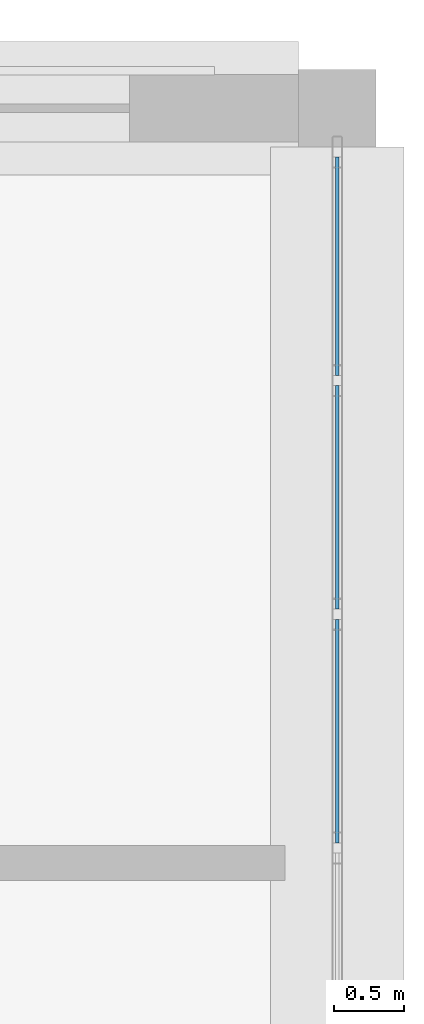
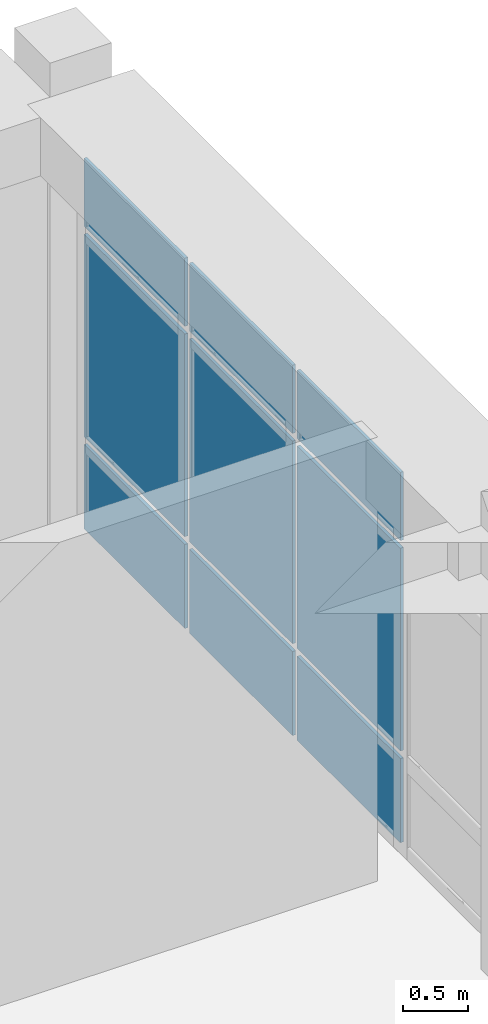
# One storey, part 70 of 121: 9 plates, 1 element without a shape of its own.
"""IFC4 building model written with IfcOpenShell, lengths in metres."""

import ifcopenshell
import ifcopenshell.guid

model = None  # the IFC model being written
_history = None  # IfcOwnerHistory: only IFC2X3 demands one
_inside = {}  # id of a spatial element -> (the spatial element, [elements in it])
_under = {}  # id of a project, library or spatial element -> (it, [spatial elements below it])
_declared = {}  # id of a project -> (the project, [libraries it declares])
_typed = {}  # id of a type object -> (the type object, [elements of that type])
_made_of = {}  # id of a material, layer set ... -> (it, [elements and type objects made of it])


def new_model(schema):
    """Start an empty IFC model of exactly this schema.

    Asked for "IFC4X3", IfcOpenShell would pick the latest addendum, in which some entities
    have other attributes; the version numbers below select the first issue.
    IFC2X3 requires an IfcOwnerHistory on every rooted entity: one is made here for all.
    """
    global model, _history
    if schema == "IFC4X3":
        model = ifcopenshell.file(schema_version=(4, 3, 0, 0))
    else:
        model = ifcopenshell.file(schema=schema)
    _inside.clear()
    _under.clear()
    _declared.clear()
    _typed.clear()
    _made_of.clear()
    _history = None
    if model.schema == "IFC2X3":
        org = make("IfcOrganization", Name="unknown")
        user = make(
            "IfcPersonAndOrganization",
            ThePerson=make("IfcPerson", FamilyName="unknown"),
            TheOrganization=org,
        )
        app = make(
            "IfcApplication",
            ApplicationDeveloper=org,
            Version="unknown",
            ApplicationFullName="unknown",
            ApplicationIdentifier="unknown",
        )
        _history = make(
            "IfcOwnerHistory",
            OwningUser=user,
            OwningApplication=app,
            ChangeAction="ADDED",
            CreationDate=0,
        )
    return model


def make(cls, **values):
    """One entity of the class cls with the attributes given. An attribute that is None is left unset."""
    return model.create_entity(
        cls, **{name: value for name, value in values.items() if value is not None}
    )


def rooted(cls, **values):
    """An entity with a GlobalId (a new one), such as an element, a storey or a relation."""
    return make(cls, GlobalId=ifcopenshell.guid.new(), OwnerHistory=_history, **values)


def si_unit(unit_type, name, prefix=None):
    """IfcSIUnit, for example si_unit("LENGTHUNIT", "METRE", prefix="MILLI")."""
    return make("IfcSIUnit", UnitType=unit_type, Prefix=prefix, Name=name)


def derived_unit(unit_type, elements):
    """IfcDerivedUnit: a product of units, each with its exponent."""
    return make(
        "IfcDerivedUnit",
        Elements=[
            make("IfcDerivedUnitElement", Unit=unit, Exponent=power)
            for unit, power in elements
        ],
        UnitType=unit_type,
    )


def assignment(units):
    """IfcUnitAssignment: the units of a project."""
    return None if units is None else make("IfcUnitAssignment", Units=units)


def point(xyz):
    """IfcCartesianPoint."""
    return None if xyz is None else make("IfcCartesianPoint", Coordinates=xyz)


def direction(xyz):
    """IfcDirection."""
    return None if xyz is None else make("IfcDirection", DirectionRatios=xyz)


def frame(location, z_axis=None, x_axis=None):
    """IfcAxis2Placement3D, a coordinate frame: its origin and axes. An axis left out is left unset."""
    return make(
        "IfcAxis2Placement3D",
        Location=point(location),
        Axis=direction(z_axis),
        RefDirection=direction(x_axis),
    )


def frame_2d(location, x_axis=None):
    """IfcAxis2Placement2D, a coordinate frame in the plane: its origin and x axis."""
    return make(
        "IfcAxis2Placement2D", Location=point(location), RefDirection=direction(x_axis)
    )


def origin():
    """The frame at (0, 0, 0) with its axes left unset."""
    return frame((0.0, 0.0, 0.0))


def origin_2d():
    """The frame at (0, 0) in the plane with its x axis left unset."""
    return frame_2d((0.0, 0.0))


def place(relative_to, where):
    """IfcLocalPlacement: puts the frame where relative to a parent placement (None: the world)."""
    return make(
        "IfcLocalPlacement", PlacementRelTo=relative_to, RelativePlacement=where
    )


def context(
    kind, dimensions, precision=None, world=None, true_north=None, identifier=None
):
    """IfcGeometricRepresentationContext, for example the 3D "Model" context."""
    return make(
        "IfcGeometricRepresentationContext",
        ContextIdentifier=identifier,
        ContextType=kind,
        CoordinateSpaceDimension=dimensions,
        Precision=precision,
        WorldCoordinateSystem=world,
        TrueNorth=true_north,
    )


def subcontext(parent, identifier, kind, view, scale=None):
    """IfcGeometricRepresentationSubContext, for example "Body" below "Model"."""
    return make(
        "IfcGeometricRepresentationSubContext",
        ContextIdentifier=identifier,
        ContextType=kind,
        ParentContext=parent,
        TargetScale=scale,
        TargetView=view,
    )


def project(units=None, contexts=None):
    """IfcProject with its units and contexts."""
    return rooted(
        "IfcProject",
        Name="project",
        RepresentationContexts=contexts,
        UnitsInContext=assignment(units),
    )


def spatial(cls, under=None, at=None, **own):
    """A site, building, storey or space (cls), placed at a placement, below another one or the project."""
    s = rooted(cls, ObjectPlacement=at, **own)
    if under is not None:
        _under.setdefault(under.id(), (under, []))[1].append(s)
    return s


def profile(cls, at=None, kind="AREA", **sizes):
    """A parametric profile (cls). Its sizes go by their IFC names, for example OverallWidth=200.0."""
    return make(cls, ProfileType=kind, Position=at, **sizes)


def rectangle(**sizes):
    """IfcRectangleProfileDef."""
    return profile("IfcRectangleProfileDef", **sizes)


def extrude(swept, where, along, depth):
    """IfcExtrudedAreaSolid: the profile swept, set in the frame where, extruded along a direction by depth."""
    return make(
        "IfcExtrudedAreaSolid",
        SweptArea=swept,
        Position=where,
        ExtrudedDirection=direction(along),
        Depth=depth,
    )


def shape(context_of_items, identifier, shape_type, items):
    """IfcShapeRepresentation: the items that make up one representation, for example the "Body"."""
    return make(
        "IfcShapeRepresentation",
        ContextOfItems=context_of_items,
        RepresentationIdentifier=identifier,
        RepresentationType=shape_type,
        Items=items,
    )


def material(Name=None, Category=None):
    """IfcMaterial."""
    return make("IfcMaterial", Name=Name, Category=Category)


def layer(
    of_material, thickness, ventilated=None, Name=None, Category=None, Priority=None
):
    """IfcMaterialLayer: one layer of a wall or slab, of a material (None: an air gap)."""
    return make(
        "IfcMaterialLayer",
        Material=of_material,
        LayerThickness=thickness,
        IsVentilated=ventilated,
        Name=Name,
        Category=Category,
        Priority=Priority,
    )


def layer_set(layers, Name=None):
    """IfcMaterialLayerSet."""
    return make("IfcMaterialLayerSet", MaterialLayers=layers, LayerSetName=Name)


def made_of(thing, what):
    """Note that an element or type object is made of a material, layer set ...; save() writes the relation."""
    if what is not None:
        _made_of.setdefault(what.id(), (what, []))[1].append(thing)
    return thing


def type_object(cls, material=None, **own):
    """A type object (cls), such as IfcWallType, which elements share."""
    return made_of(rooted(cls, **own), material)


def element(
    cls,
    number,
    at=None,
    inside=None,
    cuts=None,
    type_object=None,
    material=None,
    context=None,
    identifier="Body",
    shape_type=None,
    held_by="IfcProductDefinitionShape",
    body=None,
    shapes=None,
    **own,
):
    """One element of the class cls, such as IfcWall. Its Tag is "e" and its number.

    at: its placement. inside: the storey or other place that contains it. cuts: it is an
    opening in that element (IfcRelVoidsElement). A single representation is given by context,
    identifier, shape_type and body (its items); several are given by shapes. held_by: the class
    of the entity that holds the representations. save() writes the other relations.
    """
    e = rooted(cls, Tag="e%d" % number, ObjectPlacement=at, **own)
    if body is not None:
        shapes = [shape(context, identifier, shape_type, body)]
    if shapes is not None:
        e.Representation = make(held_by, Representations=shapes)
    if inside is not None:
        _inside.setdefault(inside.id(), (inside, []))[1].append(e)
    if cuts is not None:
        rooted(
            "IfcRelVoidsElement", RelatingBuildingElement=cuts, RelatedOpeningElement=e
        )
    if type_object is not None:
        _typed.setdefault(type_object.id(), (type_object, []))[1].append(e)
    return made_of(e, material)


def aggregate(whole, parts):
    """IfcRelAggregates: a whole, such as a stair, and the parts it consists of."""
    return rooted("IfcRelAggregates", RelatingObject=whole, RelatedObjects=parts)


def save(model, path):
    """Write the relations noted so far, then the file.

    IfcRelAggregates (storeys below a building ...), IfcRelContainedInSpatialStructure (elements
    in a storey), IfcRelDefinesByType, IfcRelAssociatesMaterial and IfcRelDeclares: one each for
    every whole, place, type object, material and project.
    """
    for whole, parts in _under.values():
        aggregate(whole, parts)
    for where, things in _inside.values():
        rooted(
            "IfcRelContainedInSpatialStructure",
            RelatedElements=things,
            RelatingStructure=where,
        )
    for kind, things in _typed.values():
        rooted("IfcRelDefinesByType", RelatedObjects=things, RelatingType=kind)
    for what, things in _made_of.values():
        rooted("IfcRelAssociatesMaterial", RelatedObjects=things, RelatingMaterial=what)
    for by, libraries in _declared.values():
        rooted("IfcRelDeclares", RelatingContext=by, RelatedDefinitions=libraries)
    model.write(path)


model = new_model("IFC4")

# Units and contexts
model_context = context("Model", 3, precision=1e-05, world=origin(), true_north=direction((0.0, 1.0)))
body_context = subcontext(model_context, "Body", "Model", "MODEL_VIEW")
ifc_project = project(units=[si_unit("LENGTHUNIT", "METRE"), si_unit("AREAUNIT", "SQUARE_METRE"), si_unit("VOLUMEUNIT", "CUBIC_METRE"), si_unit("PLANEANGLEUNIT", "RADIAN"), si_unit("MASSUNIT", "GRAM", prefix="KILO"), derived_unit("THERMALTRANSMITTANCEUNIT", [(si_unit("POWERUNIT", "WATT"), 1), (si_unit("LENGTHUNIT", "METRE"), -2), (si_unit("THERMODYNAMICTEMPERATUREUNIT", "KELVIN"), -1)])], contexts=[model_context])

# Site, building, storey
site_placement = place(None, origin())
site = spatial("IfcSite", under=ifc_project, at=site_placement, CompositionType="ELEMENT")
building_placement = place(site_placement, origin())
building = spatial("IfcBuilding", under=site, at=building_placement, Name="Veybourne Emporium", CompositionType="ELEMENT")
storey_placement = place(building_placement, frame((0.0, 0.0, 5.39990234375)))
storey = spatial("IfcBuildingStorey", under=building, at=storey_placement, Name="L01", CompositionType="ELEMENT", Elevation=5.39990234375)

# Curtain wall, plates
ifc_material_1 = material(Name="Patinated Architectural Bronze", Category="bronze")
curtain_wall_type = type_object("IfcCurtainWallType", Name="CWSystem_CWS-05", PredefinedType="NOTDEFINED", material=ifc_material_1)
curtain_wall_placement = place(storey_placement, origin())
curtain_wall = element("IfcCurtainWall", 1, at=curtain_wall_placement, inside=storey, type_object=curtain_wall_type, Name="L01 bronze glazed curtain wall CWS-05 (079)", PredefinedType="NOTDEFINED")
ifc_material_2 = material(Name="Low-E Triple Glazing", Category="glass")
ifc_layer = layer(ifc_material_2, 0.028076171875)
ifc_layer_set = layer_set([ifc_layer], Name="Low-E Triple Glazing")
plate_type = type_object("IfcPlateType", Name="CWPanel_CW-P1", PredefinedType="CURTAIN_PANEL", material=ifc_layer_set)
plate_1_placement = place(storey_placement, frame((168.0, 20.475830078125, 0.072021484375), z_axis=(0.0, 0.0, 1.0), x_axis=(0.0, -1.0, 0.0)))
plate_1 = element("IfcPlate", 2, at=plate_1_placement, type_object=plate_type, Name="CWS-05 panel 1.1", PredefinedType="CURTAIN_PANEL", context=body_context, shape_type="SweptSolid", body=[
    extrude(rectangle(XDim=1.554443359375, YDim=0.028076171875, at=origin_2d()), origin(), (0.0, 0.0, 1.0), 0.7919921875),
])
plate_2_placement = place(storey_placement, frame((168.0, 20.475830078125, 0.93603515625), z_axis=(0.0, 0.0, 1.0), x_axis=(0.0, -1.0, 0.0)))
plate_2 = element("IfcPlate", 3, at=plate_2_placement, type_object=plate_type, Name="CWS-05 panel 1.2", PredefinedType="CURTAIN_PANEL", context=body_context, shape_type="SweptSolid", body=[
    extrude(rectangle(XDim=1.554443359375, YDim=0.028076171875, at=origin_2d()), origin(), (0.0, 0.0, 1.0), 1.907958984375),
])
plate_3_placement = place(storey_placement, frame((168.0, 20.475830078125, 2.916015625), z_axis=(0.0, 0.0, 1.0), x_axis=(0.0, -1.0, 0.0)))
plate_3 = element("IfcPlate", 4, at=plate_3_placement, type_object=plate_type, Name="CWS-05 panel 1.3", PredefinedType="CURTAIN_PANEL", context=body_context, shape_type="SweptSolid", body=[
    extrude(rectangle(XDim=1.554443359375, YDim=0.028076171875, at=origin_2d()), origin(), (0.0, 0.0, 1.0), 0.64208984375),
])
plate_4_placement = place(storey_placement, frame((168.0, 18.831298828125, 0.072021484375), z_axis=(0.0, 0.0, 1.0), x_axis=(0.0, -1.0, 0.0)))
plate_4 = element("IfcPlate", 5, at=plate_4_placement, type_object=plate_type, Name="CWS-05 panel 2.1", PredefinedType="CURTAIN_PANEL", context=body_context, shape_type="SweptSolid", body=[
    extrude(rectangle(XDim=1.590576171875, YDim=0.028076171875, at=origin_2d()), origin(), (0.0, 0.0, 1.0), 0.7919921875),
])
plate_5_placement = place(storey_placement, frame((168.0, 18.831298828125, 0.93603515625), z_axis=(0.0, 0.0, 1.0), x_axis=(0.0, -1.0, 0.0)))
plate_5 = element("IfcPlate", 6, at=plate_5_placement, type_object=plate_type, Name="CWS-05 panel 2.2", PredefinedType="CURTAIN_PANEL", context=body_context, shape_type="SweptSolid", body=[
    extrude(rectangle(XDim=1.590576171875, YDim=0.028076171875, at=origin_2d()), origin(), (0.0, 0.0, 1.0), 1.907958984375),
])
plate_6_placement = place(storey_placement, frame((168.0, 18.831298828125, 2.916015625), z_axis=(0.0, 0.0, 1.0), x_axis=(0.0, -1.0, 0.0)))
plate_6 = element("IfcPlate", 7, at=plate_6_placement, type_object=plate_type, Name="CWS-05 panel 2.3", PredefinedType="CURTAIN_PANEL", context=body_context, shape_type="SweptSolid", body=[
    extrude(rectangle(XDim=1.590576171875, YDim=0.028076171875, at=origin_2d()), origin(), (0.0, 0.0, 1.0), 0.64208984375),
])
plate_7_placement = place(storey_placement, frame((168.0, 17.168701171875, 0.072021484375), z_axis=(0.0, 0.0, 1.0), x_axis=(0.0, -1.0, 0.0)))
plate_7 = element("IfcPlate", 8, at=plate_7_placement, type_object=plate_type, Name="CWS-05 panel 3.1", PredefinedType="CURTAIN_PANEL", context=body_context, shape_type="SweptSolid", body=[
    extrude(rectangle(XDim=1.590576171875, YDim=0.028076171875, at=origin_2d()), origin(), (0.0, 0.0, 1.0), 0.7919921875),
])
plate_8_placement = place(storey_placement, frame((168.0, 17.168701171875, 0.93603515625), z_axis=(0.0, 0.0, 1.0), x_axis=(0.0, -1.0, 0.0)))
plate_8 = element("IfcPlate", 9, at=plate_8_placement, type_object=plate_type, Name="CWS-05 panel 3.2", PredefinedType="CURTAIN_PANEL", context=body_context, shape_type="SweptSolid", body=[
    extrude(rectangle(XDim=1.590576171875, YDim=0.028076171875, at=origin_2d()), origin(), (0.0, 0.0, 1.0), 1.907958984375),
])
plate_9_placement = place(storey_placement, frame((168.0, 17.168701171875, 2.916015625), z_axis=(0.0, 0.0, 1.0), x_axis=(0.0, -1.0, 0.0)))
plate_9 = element("IfcPlate", 10, at=plate_9_placement, type_object=plate_type, Name="CWS-05 panel 3.3", PredefinedType="CURTAIN_PANEL", context=body_context, shape_type="SweptSolid", body=[
    extrude(rectangle(XDim=1.590576171875, YDim=0.028076171875, at=origin_2d()), origin(), (0.0, 0.0, 1.0), 0.64208984375),
])
aggregate(curtain_wall, [plate_1, plate_2, plate_3, plate_4, plate_5, plate_6, plate_7, plate_8, plate_9])

save(model, "model.ifc")
